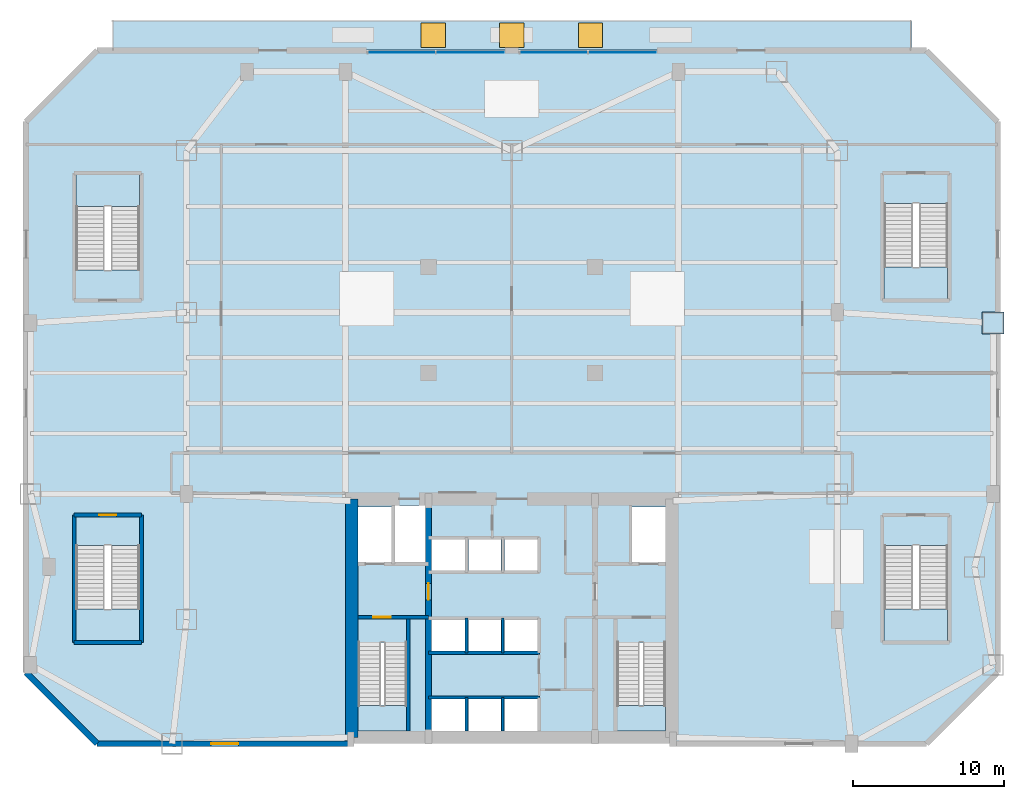
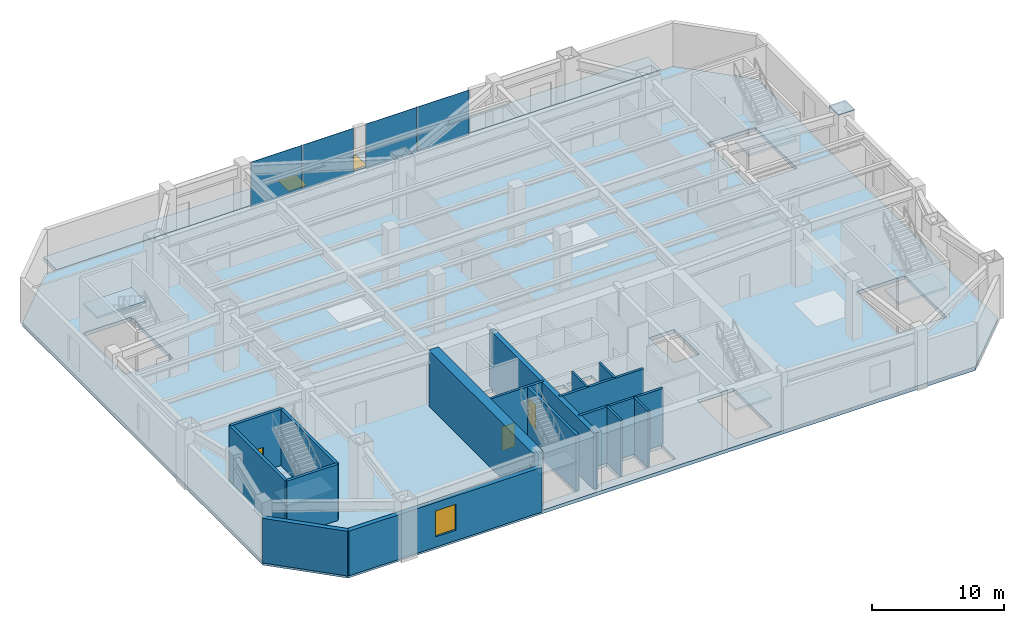
# One storey, part 3 of 9: 16 walls, 8 slabs, 5 plates, 4 windows, 3 doors, 7 openings, 8 elements without a shape of their own.
"""IFC4 building model written with IfcOpenShell, lengths in metres."""

from ifc_helpers import new_model, si_unit, direction, frame, frame_2d, origin, origin_2d, place, context, subcontext, project, spatial, polyline, rectangle, outline, extrude, source, transform, mapped, material, layer, layer_set, type_object, type_shapes, element, fill, aggregate, save


model = new_model("IFC4")

# Units and contexts
model_context = context("Model", 3, precision=1e-05, world=origin(), true_north=direction((0.0, 1.0)))
body_context = subcontext(model_context, "Body", "Model", "MODEL_VIEW")
ifc_project = project(units=[si_unit("LENGTHUNIT", "METRE"), si_unit("AREAUNIT", "SQUARE_METRE"), si_unit("VOLUMEUNIT", "CUBIC_METRE"), si_unit("PLANEANGLEUNIT", "RADIAN"), si_unit("MASSUNIT", "GRAM", prefix="KILO")], contexts=[model_context])

# Site, building, storey
site_placement = place(None, origin())
site = spatial("IfcSite", under=ifc_project, at=site_placement, CompositionType="ELEMENT")
building_placement = place(site_placement, origin())
building = spatial("IfcBuilding", under=site, at=building_placement, Name="Varnakhor Terracotta Tower", CompositionType="ELEMENT")
storey_placement = place(building_placement, frame((0.0, 0.0, 11.0)))
storey = spatial("IfcBuildingStorey", under=building, at=storey_placement, Name="L02", CompositionType="ELEMENT", Elevation=11.0)

# Slab
ifc_material_1 = material(Name="Concrete C40/50", Category="concrete")
ifc_layer_1 = layer(ifc_material_1, 0.330078125, Name="Concrete C40/50")
ifc_layer_set_1 = layer_set([ifc_layer_1], Name="Concrete C40/50")
slab_type_1 = type_object("IfcSlabType", Name="SLB-EXHIB-330", PredefinedType="FLOOR", material=ifc_layer_set_1)
slab_1_placement = place(storey_placement, frame((0.0, 0.0, -0.330078125)))
element("IfcSlab", 1, at=slab_1_placement, inside=storey, type_object=slab_type_1, Name="L02 Structural Floor Slab", PredefinedType="FLOOR", context=body_context, shape_type="SweptSolid", body=[
    extrude(outline(polyline([(-32.10009765625, 4.699951171875), (-32.10009765625, 41.10009765625), (-27.39990234375, 45.800048828125), (27.39990234375, 45.800048828125), (32.10009765625, 41.10009765625), (32.10009765625, 4.699951171875), (27.39990234375, 0.0), (-27.39990234375, 0.0), (-32.10009765625, 4.699951171875)]), holes=[polyline([(-5.300048828125, 0.85009765625), (-3.10009765625, 0.85009765625), (-3.10009765625, 2.949951171875), (-5.300048828125, 2.949951171875), (-5.300048828125, 0.85009765625)]), polyline([(-10.14990234375, 0.85009765625), (-6.949951171875, 0.85009765625), (-6.949951171875, 6.695068359375), (-10.14990234375, 6.695068359375), (-10.14990234375, 0.85009765625)]), polyline([(-5.300048828125, 6.10009765625), (-3.10009765625, 6.10009765625), (-3.10009765625, 8.199951171875), (-5.300048828125, 8.199951171875), (-5.300048828125, 6.10009765625)]), polyline([(-28.800048828125, 6.800048828125), (-24.60009765625, 6.800048828125), (-24.60009765625, 13.0849609375), (-28.800048828125, 13.0849609375), (-28.800048828125, 6.800048828125)]), polyline([(-5.300048828125, 11.419921875), (-3.10009765625, 11.419921875), (-3.10009765625, 13.52001953125), (-5.300048828125, 13.52001953125), (-5.300048828125, 11.419921875)]), polyline([(-2.8798828125, 11.419921875), (-0.719970703125, 11.419921875), (-0.719970703125, 13.52001953125), (-2.8798828125, 13.52001953125), (-2.8798828125, 11.419921875)]), polyline([(-10.14990234375, 11.8798828125), (-7.949951171875, 11.8798828125), (-7.949951171875, 15.64990234375), (-10.14990234375, 15.64990234375), (-10.14990234375, 11.8798828125)]), polyline([(-7.72998046875, 15.75), (-7.72998046875, 11.8798828125), (-5.699951171875, 11.8798828125), (-5.699951171875, 15.75), (-7.72998046875, 15.75)]), polyline([(-28.800048828125, 37.60009765625), (-28.800048828125, 31.31494140625), (-24.60009765625, 31.31494140625), (-24.60009765625, 37.60009765625), (-28.800048828125, 37.60009765625)]), polyline([(-2.8798828125, 0.85009765625), (-0.719970703125, 0.85009765625), (-0.719970703125, 2.949951171875), (-2.8798828125, 2.949951171875), (-2.8798828125, 0.85009765625)]), polyline([(-0.5, 0.85009765625), (1.699951171875, 0.85009765625), (1.699951171875, 2.949951171875), (-0.5, 2.949951171875), (-0.5, 0.85009765625)]), polyline([(6.949951171875, 0.85009765625), (10.14990234375, 0.85009765625), (10.14990234375, 6.695068359375), (6.949951171875, 6.695068359375), (6.949951171875, 0.85009765625)]), polyline([(-2.8798828125, 6.10009765625), (-0.719970703125, 6.10009765625), (-0.719970703125, 8.199951171875), (-2.8798828125, 8.199951171875), (-2.8798828125, 6.10009765625)]), polyline([(-0.5, 6.10009765625), (1.699951171875, 6.10009765625), (1.699951171875, 8.199951171875), (-0.5, 8.199951171875), (-0.5, 6.10009765625)]), polyline([(24.60009765625, 6.800048828125), (28.800048828125, 6.800048828125), (28.800048828125, 13.0849609375), (24.60009765625, 13.0849609375), (24.60009765625, 6.800048828125)]), polyline([(-0.5, 11.419921875), (1.699951171875, 11.419921875), (1.699951171875, 13.52001953125), (-0.5, 13.52001953125), (-0.5, 11.419921875)]), polyline([(7.949951171875, 15.64990234375), (7.949951171875, 11.8798828125), (10.14990234375, 11.8798828125), (10.14990234375, 15.64990234375), (7.949951171875, 15.64990234375)]), polyline([(24.60009765625, 35.68505859375), (24.60009765625, 29.39990234375), (28.800048828125, 29.39990234375), (28.800048828125, 35.68505859375), (24.60009765625, 35.68505859375)])]), origin(), (0.0, 0.0, 1.0), 0.330078125),
])

# Stair, slab
stair_type_1 = type_object("IfcStairType", Name="STR-CORE-OFFICE-1500", PredefinedType="HALF_TURN_STAIR", material=ifc_material_1)
stair_1_placement = place(storey_placement, origin())
stair_1 = element("IfcStair", 2, at=stair_1_placement, inside=storey, type_object=stair_type_1, Name="L02 Core Exit Stair ST-1", PredefinedType="HALF_TURN_STAIR")
ifc_layer_2 = layer(ifc_material_1, 0.179931640625, Name="Concrete C40/50")
ifc_layer_set_2 = layer_set([ifc_layer_2], Name="Concrete C40/50")
slab_type_2 = type_object("IfcSlabType", Name="SLB-LANDING-180", PredefinedType="LANDING", material=ifc_layer_set_2)
slab_2_placement = place(storey_placement, frame((0.0, 0.0, 2.550048828125)))
slab_2 = element("IfcSlab", 3, at=slab_2_placement, type_object=slab_type_2, Name="ST-1 landing 1", PredefinedType="LANDING", context=body_context, shape_type="SweptSolid", body=[
    extrude(outline(polyline([(-10.14990234375, 2.510009765625), (-10.14990234375, 0.85009765625), (-6.949951171875, 0.85009765625), (-6.949951171875, 2.510009765625), (-10.14990234375, 2.510009765625)])), origin(), (0.0, 0.0, 1.0), 0.199951171875),
])
aggregate(stair_1, [slab_2])

stair_2_placement = place(storey_placement, origin())
stair_2 = element("IfcStair", 4, at=stair_2_placement, inside=storey, type_object=stair_type_1, Name="L02 Core Exit Stair ST-2", PredefinedType="HALF_TURN_STAIR")
slab_3_placement = place(storey_placement, frame((0.0, 0.0, 2.550048828125)))
slab_3 = element("IfcSlab", 5, at=slab_3_placement, type_object=slab_type_2, Name="ST-2 landing 1", PredefinedType="LANDING", context=body_context, shape_type="SweptSolid", body=[
    extrude(outline(polyline([(6.949951171875, 2.510009765625), (6.949951171875, 0.85009765625), (10.14990234375, 0.85009765625), (10.14990234375, 2.510009765625), (6.949951171875, 2.510009765625)])), origin(), (0.0, 0.0, 1.0), 0.199951171875),
])
aggregate(stair_2, [slab_3])

stair_type_2 = type_object("IfcStairType", Name="STR-PODIUM-EXIT-2000", PredefinedType="HALF_TURN_STAIR", material=ifc_material_1)
stair_3_placement = place(storey_placement, origin())
stair_3 = element("IfcStair", 6, at=stair_3_placement, inside=storey, type_object=stair_type_2, Name="L02 Podium Assembly Exit Stair ST-P1", PredefinedType="HALF_TURN_STAIR")
slab_4_placement = place(storey_placement, frame((0.0, 0.0, 2.550048828125)))
slab_4 = element("IfcSlab", 7, at=slab_4_placement, type_object=slab_type_2, Name="ST-P1 landing 1", PredefinedType="LANDING", context=body_context, shape_type="SweptSolid", body=[
    extrude(outline(polyline([(-28.800048828125, 8.89990234375), (-28.800048828125, 6.800048828125), (-24.60009765625, 6.800048828125), (-24.60009765625, 8.89990234375), (-28.800048828125, 8.89990234375)])), origin(), (0.0, 0.0, 1.0), 0.199951171875),
])
aggregate(stair_3, [slab_4])

stair_4_placement = place(storey_placement, origin())
stair_4 = element("IfcStair", 8, at=stair_4_placement, inside=storey, type_object=stair_type_2, Name="L02 Podium Assembly Exit Stair ST-P2", PredefinedType="HALF_TURN_STAIR")
slab_5_placement = place(storey_placement, frame((0.0, 0.0, 2.550048828125)))
slab_5 = element("IfcSlab", 9, at=slab_5_placement, type_object=slab_type_2, Name="ST-P2 landing 1", PredefinedType="LANDING", context=body_context, shape_type="SweptSolid", body=[
    extrude(outline(polyline([(24.60009765625, 8.89990234375), (24.60009765625, 6.800048828125), (28.800048828125, 6.800048828125), (28.800048828125, 8.89990234375), (24.60009765625, 8.89990234375)])), origin(), (0.0, 0.0, 1.0), 0.199951171875),
])
aggregate(stair_4, [slab_5])

stair_5_placement = place(storey_placement, origin())
stair_5 = element("IfcStair", 10, at=stair_5_placement, inside=storey, type_object=stair_type_2, Name="L02 Podium Assembly Exit Stair ST-P3", PredefinedType="HALF_TURN_STAIR")
slab_6_placement = place(storey_placement, frame((0.0, 0.0, 2.550048828125)))
slab_6 = element("IfcSlab", 11, at=slab_6_placement, type_object=slab_type_2, Name="ST-P3 landing 1", PredefinedType="LANDING", context=body_context, shape_type="SweptSolid", body=[
    extrude(outline(polyline([(-24.60009765625, 35.5), (-24.60009765625, 37.60009765625), (-28.800048828125, 37.60009765625), (-28.800048828125, 35.5), (-24.60009765625, 35.5)])), origin(), (0.0, 0.0, 1.0), 0.199951171875),
])
aggregate(stair_5, [slab_6])

stair_6_placement = place(storey_placement, origin())
stair_6 = element("IfcStair", 12, at=stair_6_placement, inside=storey, type_object=stair_type_2, Name="L02 Podium Assembly Exit Stair ST-P4", PredefinedType="HALF_TURN_STAIR")
slab_7_placement = place(storey_placement, frame((0.0, 0.0, 2.550048828125)))
slab_7 = element("IfcSlab", 13, at=slab_7_placement, type_object=slab_type_2, Name="ST-P4 landing 1", PredefinedType="LANDING", context=body_context, shape_type="SweptSolid", body=[
    extrude(outline(polyline([(24.60009765625, 31.5), (24.60009765625, 29.39990234375), (28.800048828125, 29.39990234375), (28.800048828125, 31.5), (24.60009765625, 31.5)])), origin(), (0.0, 0.0, 1.0), 0.199951171875),
])
aggregate(stair_6, [slab_7])

# Slab, openings, windows
ifc_layer_3 = layer(ifc_material_1, 0.340087890625, Name="Concrete C40/50")
ifc_layer_set_3 = layer_set([ifc_layer_3], Name="Concrete C40/50")
slab_type_3 = type_object("IfcSlabType", Name="SLB-TERR-EXT-340", PredefinedType="FLOOR", material=ifc_layer_set_3)
slab_8_placement = place(storey_placement, frame((0.0, 0.0, -0.330078125)))
slab_8 = element("IfcSlab", 14, at=slab_8_placement, inside=storey, type_object=slab_type_3, Name="L02 Cascading Garden Terrace Slab", PredefinedType="FLOOR", context=body_context, shape_type="SweptSolid", body=[
    extrude(outline(polyline([(-26.39990234375, 47.800048828125), (26.39990234375, 47.800048828125), (26.39990234375, 45.840087890625), (-26.39990234375, 45.840087890625), (-26.39990234375, 47.800048828125)])), origin(), (0.0, 0.0, 1.0), 0.330078125),
])
opening_1_placement = place(slab_8_placement, frame((-5.199951171875, 46.820068359375, -0.010009765625)))
opening_1 = element("IfcOpeningElement", 15, at=opening_1_placement, cuts=slab_8, Name="Opening WN-32", PredefinedType="OPENING", context=body_context, shape_type="SweptSolid", body=[
    extrude(rectangle(XDim=1.60009765625, YDim=1.60009765625, at=origin_2d()), origin(), (0.0, 0.0, 1.0), 0.35009765625),
])
opening_2_placement = place(slab_8_placement, frame((0.0, 46.820068359375, -0.010009765625)))
opening_2 = element("IfcOpeningElement", 16, at=opening_2_placement, cuts=slab_8, Name="Opening WN-32", PredefinedType="OPENING", context=body_context, shape_type="SweptSolid", body=[
    extrude(rectangle(XDim=1.60009765625, YDim=1.60009765625, at=origin_2d()), origin(), (0.0, 0.0, 1.0), 0.35009765625),
])
opening_3_placement = place(slab_8_placement, frame((5.199951171875, 46.820068359375, -0.010009765625)))
opening_3 = element("IfcOpeningElement", 17, at=opening_3_placement, cuts=slab_8, Name="Opening WN-32", PredefinedType="OPENING", context=body_context, shape_type="SweptSolid", body=[
    extrude(rectangle(XDim=1.60009765625, YDim=1.60009765625, at=origin_2d()), origin(), (0.0, 0.0, 1.0), 0.35009765625),
])
ifc_material_2 = material(Name="Solar-Control Low-E Insulated Glass Unit", Category="glass")
window_type_1 = type_object("IfcWindowType", Name="SKYLIGHT-2400X2400", PartitioningType="SINGLE_PANEL", PredefinedType="SKYLIGHT", material=ifc_material_2)
window_1_placement = place(slab_8_placement, frame((-5.199951171875, 46.820068359375, 0.280029296875)))
window_1 = element("IfcWindow", 18, at=window_1_placement, inside=storey, type_object=window_type_1, Name="L02 Podium Foyer Skylight 1", OverallHeight=1.60009765625, OverallWidth=1.60009765625, PartitioningType="SINGLE_PANEL", PredefinedType="SKYLIGHT", context=body_context, shape_type="SweptSolid", body=[
    extrude(rectangle(XDim=1.60009765625, YDim=1.60009765625, at=origin_2d()), origin(), (0.0, 0.0, 1.0), 0.050048828125),
])
fill(opening_1, window_1)
window_2_placement = place(slab_8_placement, frame((0.0, 46.820068359375, 0.280029296875)))
window_2 = element("IfcWindow", 19, at=window_2_placement, inside=storey, type_object=window_type_1, Name="L02 Podium Foyer Skylight 2", OverallHeight=1.60009765625, OverallWidth=1.60009765625, PartitioningType="SINGLE_PANEL", PredefinedType="SKYLIGHT", context=body_context, shape_type="SweptSolid", body=[
    extrude(rectangle(XDim=1.60009765625, YDim=1.60009765625, at=origin_2d()), origin(), (0.0, 0.0, 1.0), 0.050048828125),
])
fill(opening_2, window_2)
window_3_placement = place(slab_8_placement, frame((5.199951171875, 46.820068359375, 0.280029296875)))
window_3 = element("IfcWindow", 20, at=window_3_placement, inside=storey, type_object=window_type_1, Name="L02 Podium Foyer Skylight 3", OverallHeight=1.60009765625, OverallWidth=1.60009765625, PartitioningType="SINGLE_PANEL", PredefinedType="SKYLIGHT", context=body_context, shape_type="SweptSolid", body=[
    extrude(rectangle(XDim=1.60009765625, YDim=1.60009765625, at=origin_2d()), origin(), (0.0, 0.0, 1.0), 0.050048828125),
])
fill(opening_3, window_3)

# Plate
ifc_material_3 = material(Name="Steel S355", Category="steel")
ifc_layer_4 = layer(ifc_material_3, 0.0400390625, Name="Steel S355")
ifc_layer_set_4 = layer_set([ifc_layer_4], Name="Steel S355")
plate_type_1 = type_object("IfcPlateType", Name="PLT-CAP-40", PredefinedType="USERDEFINED", material=ifc_layer_set_4)
shared_shape_1 = source(origin(), body_context, "Body", "SweptSolid", [
    extrude(rectangle(XDim=1.43994140625, YDim=1.43994140625, at=origin_2d()), origin(), (0.0, 0.0, 1.0), 0.0439453125),
])
type_shapes(plate_type_1, [shared_shape_1])
plate_1_placement = place(storey_placement, frame((31.800048828125, 27.800048828125, 5.5), z_axis=(0.0, 0.0, 1.0), x_axis=(1.0, 0.0, 0.0)))
element("IfcPlate", 21, at=plate_1_placement, inside=storey, type_object=plate_type_1, Name="L02 Podium Column PC19 Top Cap Plate", ObjectType="CAP PLATE", PredefinedType="USERDEFINED", context=body_context, shape_type="MappedRepresentation", body=[
    mapped(shared_shape_1, transform((0.0, 0.0, 0.0), scale=1.0)),
])

# Curtain wall, plates
ifc_material_4 = material(Name="Anodised Aluminium Curtain Wall System", Category="aluminium")
curtain_wall_type = type_object("IfcCurtainWallType", Name="CW-SYS-PODIUM", PredefinedType="NOTDEFINED", material=ifc_material_4)
curtain_wall_1_placement = place(storey_placement, origin())
curtain_wall_1 = element("IfcCurtainWall", 22, at=curtain_wall_1_placement, inside=storey, type_object=curtain_wall_type, Name="L02 North West Foyer Curtain Wall", PredefinedType="NOTDEFINED")
ifc_material_5 = material(Name="Solar-Control Low-E Insulated Glass Panel", Category="glass")
ifc_layer_5 = layer(ifc_material_5, 0.0439453125, Name="Solar-Control Low-E Insulated Glass Panel")
ifc_layer_set_5 = layer_set([ifc_layer_5], Name="Solar-Control Low-E Insulated Glass Panel")
plate_type_2 = type_object("IfcPlateType", Name="CWP-01", PredefinedType="CURTAIN_PANEL", material=ifc_layer_set_5)
shared_shape_2 = source(origin(), body_context, "Body", "SweptSolid", [
    extrude(rectangle(XDim=4.47509765625, YDim=0.035888671875, at=origin_2d()), origin(), (0.0, 0.0, 1.0), 4.125),
])
plate_2_placement = place(storey_placement, frame((-7.282470703125, 45.679931640625, 0.0), z_axis=(0.0, 0.0, 1.0), x_axis=(1.0, 0.0, 0.0)))
plate_2 = element("IfcPlate", 23, at=plate_2_placement, type_object=plate_type_2, Name="L02 North West Foyer Curtain Wall Glazed Panel 1", PredefinedType="CURTAIN_PANEL", context=body_context, shape_type="MappedRepresentation", body=[
    mapped(shared_shape_2, transform((0.0, 0.0, 0.0), scale=1.0)),
])
plate_3_placement = place(storey_placement, frame((-2.767578125, 45.679931640625, 0.0), z_axis=(0.0, 0.0, 1.0), x_axis=(1.0, 0.0, 0.0)))
plate_3 = element("IfcPlate", 24, at=plate_3_placement, type_object=plate_type_2, Name="L02 North West Foyer Curtain Wall Glazed Panel 2", PredefinedType="CURTAIN_PANEL", context=body_context, shape_type="MappedRepresentation", body=[
    mapped(shared_shape_2, transform((0.0, 0.0, 0.0), scale=1.0)),
])
aggregate(curtain_wall_1, [plate_2, plate_3])

curtain_wall_2_placement = place(storey_placement, origin())
curtain_wall_2 = element("IfcCurtainWall", 25, at=curtain_wall_2_placement, inside=storey, type_object=curtain_wall_type, Name="L02 North East Foyer Curtain Wall", PredefinedType="NOTDEFINED")
plate_4_placement = place(storey_placement, frame((2.767578125, 45.679931640625, 0.0), z_axis=(0.0, 0.0, 1.0), x_axis=(1.0, 0.0, 0.0)))
plate_4 = element("IfcPlate", 26, at=plate_4_placement, type_object=plate_type_2, Name="L02 North East Foyer Curtain Wall Glazed Panel 1", PredefinedType="CURTAIN_PANEL", context=body_context, shape_type="MappedRepresentation", body=[
    mapped(shared_shape_2, transform((0.0, 0.0, 0.0), scale=1.0)),
])
plate_5_placement = place(storey_placement, frame((7.282470703125, 45.679931640625, 0.0), z_axis=(0.0, 0.0, 1.0), x_axis=(1.0, 0.0, 0.0)))
plate_5 = element("IfcPlate", 27, at=plate_5_placement, type_object=plate_type_2, Name="L02 North East Foyer Curtain Wall Glazed Panel 2", PredefinedType="CURTAIN_PANEL", context=body_context, shape_type="MappedRepresentation", body=[
    mapped(shared_shape_2, transform((0.0, 0.0, 0.0), scale=1.0)),
])
aggregate(curtain_wall_2, [plate_4, plate_5])

# Wall
ifc_material_6 = material(Name="Concrete C60/75", Category="concrete")
ifc_layer_6 = layer(ifc_material_6, 0.85009765625, Name="Concrete C60/75")
ifc_layer_set_6 = layer_set([ifc_layer_6], Name="Concrete C60/75")
wall_type_1 = type_object("IfcWallType", Name="WAL-CORE-850", PredefinedType="SHEAR", material=ifc_layer_set_6)
wall_1_placement = place(storey_placement, frame((-10.574951171875, 0.425048828125, 0.0), z_axis=(0.0, 0.0, 1.0), x_axis=(0.0, 1.0, 0.0)))
element("IfcWall", 28, at=wall_1_placement, inside=storey, type_object=wall_type_1, Name="L02 West Core Shear Wall", PredefinedType="SHEAR", context=body_context, shape_type="SweptSolid", body=[
    extrude(rectangle(XDim=15.75, YDim=0.85009765625, at=frame_2d((7.875, 0.0))), origin(), (0.0, 0.0, 1.0), 5.18505859375),
])

# Wall, opening, door
ifc_material_7 = material(Name="Concrete C50/60", Category="concrete")
ifc_layer_7 = layer(ifc_material_7, 0.39990234375, Name="Concrete C50/60")
ifc_layer_set_7 = layer_set([ifc_layer_7], Name="Concrete C50/60")
wall_type_2 = type_object("IfcWallType", Name="WAL-CORE-WEB-400", PredefinedType="SHEAR", material=ifc_layer_set_7)
wall_2_placement = place(storey_placement, frame((-5.5, 0.425048828125, 0.0), z_axis=(0.0, 0.0, 1.0), x_axis=(0.0, 1.0, 0.0)))
wall_2 = element("IfcWall", 29, at=wall_2_placement, inside=storey, type_object=wall_type_2, Name="L02 West Core Web Shear Wall", PredefinedType="SHEAR", context=body_context, shape_type="SweptSolid", body=[
    extrude(rectangle(XDim=15.75, YDim=0.39990234375, at=frame_2d((7.875, 0.0))), origin(), (0.0, 0.0, 1.0), 5.18505859375),
])
opening_4_placement = place(wall_2_placement, frame((9.074951171875, 0.0, 0.0)))
opening_4 = element("IfcOpeningElement", 30, at=opening_4_placement, cuts=wall_2, Name="Opening DR-25", PredefinedType="OPENING", context=body_context, shape_type="SweptSolid", body=[
    extrude(rectangle(XDim=1.10009765625, YDim=2.199951171875, at=frame_2d((0.550048828125, 1.10009765625))), frame((0.0, 0.2099609375, 0.0), z_axis=(0.0, -1.0, 0.0), x_axis=(1.0, 0.0, 0.0)), (0.0, 0.0, 1.0), 0.419921875),
])
ifc_material_8 = material(Name="Firefighting Lobby Self-Closing Fire Door", Category="steel")
door_type_1 = type_object("IfcDoorType", Name="DR-FFL-1100X2200", OperationType="NOTDEFINED", PredefinedType="DOOR", material=ifc_material_8)
shared_shape_3 = source(origin(), body_context, "Body", "SweptSolid", [
    extrude(rectangle(XDim=1.10009765625, YDim=2.199951171875, at=frame_2d((0.550048828125, 1.10009765625))), frame((0.0, 0.02490234375, 0.0), z_axis=(0.0, -1.0, 0.0), x_axis=(1.0, 0.0, 0.0)), (0.0, 0.0, 1.0), 0.050048828125),
])
type_shapes(door_type_1, [shared_shape_3])
door_1_placement = place(opening_4_placement, origin())
door_1 = element("IfcDoor", 31, at=door_1_placement, inside=storey, type_object=door_type_1, Name="L02 West Firefighting Lobby Door", OperationType="SINGLE_SWING_RIGHT", OverallHeight=2.199951171875, OverallWidth=1.10009765625, PredefinedType="DOOR", context=body_context, shape_type="MappedRepresentation", body=[
    mapped(shared_shape_3, transform((0.0, 0.0, 0.0), scale=1.0)),
])
fill(opening_4, door_1)

# Wall, opening, window
ifc_material_9 = material(Name="Honed Riyadh Limestone Assembly", Category="masonry")
ifc_layer_8 = layer(ifc_material_9, 0.3798828125, Name="Honed Riyadh Limestone Assembly")
ifc_layer_set_8 = layer_set([ifc_layer_8], Name="Honed Riyadh Limestone Assembly")
wall_type_3 = type_object("IfcWallType", Name="WAL-EXT-LIMESTONE-380", PredefinedType="SOLIDWALL", material=ifc_layer_set_8)
wall_3_placement = place(storey_placement, frame((-10.550048828125, 0.0, 0.0), z_axis=(0.0, 0.0, 1.0), x_axis=(-1.0, 0.0, 0.0)))
wall_3 = element("IfcWall", 32, at=wall_3_placement, inside=storey, type_object=wall_type_3, Name="L02 Limestone Podium Wall SW", PredefinedType="SOLIDWALL", context=body_context, shape_type="SweptSolid", body=[
    extrude(rectangle(XDim=16.849853515625, YDim=0.3798828125, at=frame_2d((8.4248046875, 0.0))), origin(), (0.0, 0.0, 1.0), 4.125),
])
opening_5_placement = place(wall_3_placement, frame((7.52490234375, 0.0, 0.949951171875)))
opening_5 = element("IfcOpeningElement", 33, at=opening_5_placement, cuts=wall_3, Name="Opening WN-19", PredefinedType="OPENING", context=body_context, shape_type="SweptSolid", body=[
    extrude(rectangle(XDim=1.800048828125, YDim=2.39990234375, at=frame_2d((0.89990234375, 1.199951171875))), frame((0.0, 0.199951171875, 0.0), z_axis=(0.0, -1.0, 0.0), x_axis=(1.0, 0.0, 0.0)), (0.0, 0.0, 1.0), 0.39990234375),
])
window_type_2 = type_object("IfcWindowType", Name="WIN-POD-1800X2400", PartitioningType="SINGLE_PANEL", PredefinedType="WINDOW", material=ifc_material_2)
shared_shape_4 = source(origin(), body_context, "Body", "SweptSolid", [
    extrude(rectangle(XDim=1.800048828125, YDim=2.39990234375, at=frame_2d((0.89990234375, 1.199951171875))), frame((0.0, 0.030029296875, 0.0), z_axis=(0.0, -1.0, 0.0), x_axis=(1.0, 0.0, 0.0)), (0.0, 0.0, 1.0), 0.06005859375),
])
type_shapes(window_type_2, [shared_shape_4])
window_4_placement = place(opening_5_placement, origin())
window_4 = element("IfcWindow", 34, at=window_4_placement, inside=storey, type_object=window_type_2, Name="L02 Podium Window SW", OverallHeight=2.39990234375, OverallWidth=1.800048828125, PartitioningType="SINGLE_PANEL", PredefinedType="WINDOW", context=body_context, shape_type="MappedRepresentation", body=[
    mapped(shared_shape_4, transform((0.0, 0.0, 0.0), scale=1.0)),
])
fill(opening_5, window_4)

# Wall
wall_4_placement = place(storey_placement, frame((-27.39990234375, 0.0, 0.0), z_axis=(0.0, 0.0, 1.0), x_axis=(-0.707125145927, 0.707088415969, 0.0)))
element("IfcWall", 35, at=wall_4_placement, inside=storey, type_object=wall_type_3, Name="L02 Podium Chamfer Limestone Wall 8", PredefinedType="SOLIDWALL", context=body_context, shape_type="SweptSolid", body=[
    extrude(rectangle(XDim=6.64697265625, YDim=0.3798828125, at=frame_2d((3.323486328125, 0.0))), origin(), (0.0, 0.0, 1.0), 4.125),
])

# Wall, opening, door
ifc_layer_9 = layer(ifc_material_1, 0.219970703125, Name="Concrete C40/50")
ifc_layer_set_9 = layer_set([ifc_layer_9], Name="Concrete C40/50")
wall_type_4 = type_object("IfcWallType", Name="WAL-FFLOBBY-220", PredefinedType="SOLIDWALL", material=ifc_layer_set_9)
wall_5_placement = place(storey_placement, frame((-5.5, 8.35009765625, 0.0), z_axis=(0.0, 0.0, 1.0), x_axis=(-1.0, 0.0, 0.0)))
wall_5 = element("IfcWall", 36, at=wall_5_placement, inside=storey, type_object=wall_type_4, Name="L02 West Firefighting Lobby Stair Wall", PredefinedType="SOLIDWALL", context=body_context, shape_type="SweptSolid", body=[
    extrude(rectangle(XDim=4.64990234375, YDim=0.219970703125, at=frame_2d((2.324951171875, 0.0))), origin(), (0.0, 0.0, 1.0), 5.18505859375),
])
opening_6_placement = place(wall_5_placement, frame((2.5, 0.0, 0.0)))
opening_6 = element("IfcOpeningElement", 37, at=opening_6_placement, cuts=wall_5, Name="Opening DR-34", PredefinedType="OPENING", context=body_context, shape_type="SweptSolid", body=[
    extrude(rectangle(XDim=1.14990234375, YDim=2.199951171875, at=frame_2d((0.574951171875, 1.10009765625))), frame((0.0, 0.1201171875, 0.0), z_axis=(0.0, -1.0, 0.0), x_axis=(1.0, 0.0, 0.0)), (0.0, 0.0, 1.0), 0.239990234375),
])
ifc_material_10 = material(Name="Self-Closing Smoke-Sealed Steel Fire Door", Category="steel")
door_type_2 = type_object("IfcDoorType", Name="DR-STAIR-1150X2200", OperationType="NOTDEFINED", PredefinedType="DOOR", material=ifc_material_10)
shared_shape_5 = source(origin(), body_context, "Body", "SweptSolid", [
    extrude(rectangle(XDim=1.14990234375, YDim=2.199951171875, at=frame_2d((0.574951171875, 1.10009765625))), frame((0.0, 0.02490234375, 0.0), z_axis=(0.0, -1.0, 0.0), x_axis=(1.0, 0.0, 0.0)), (0.0, 0.0, 1.0), 0.050048828125),
])
type_shapes(door_type_2, [shared_shape_5])
door_2_placement = place(opening_6_placement, origin())
door_2 = element("IfcDoor", 38, at=door_2_placement, inside=storey, type_object=door_type_2, Name="L02 Exit Stair ST-1 Fire Door", OperationType="SINGLE_SWING_LEFT", OverallHeight=2.199951171875, OverallWidth=1.14990234375, PredefinedType="DOOR", context=body_context, shape_type="MappedRepresentation", body=[
    mapped(shared_shape_5, transform((0.0, 0.0, 0.0), scale=1.0)),
])
fill(opening_6, door_2)

# Walls
ifc_layer_10 = layer(ifc_material_1, 0.179931640625, Name="Concrete C40/50")
ifc_layer_set_10 = layer_set([ifc_layer_10], Name="Concrete C40/50")
wall_type_5 = type_object("IfcWallType", Name="WAL-SHAFT-180", PredefinedType="SOLIDWALL", material=ifc_layer_set_10)
for number, where, z_axis, x_axis, name in (
    (39, (-3.0, 0.85009765625, 0.0), (0.0, 0.0, 1.0), (0.0, 1.0, 0.0), "L02 PL-1A Divider"),
    (40, (-0.60009765625, 0.85009765625, 0.0), (0.0, 0.0, 1.0), (0.0, 1.0, 0.0), "L02 PL-1B Divider"),
):
    element("IfcWall", number, at=place(storey_placement, frame(where, z_axis=z_axis, x_axis=x_axis)), inside=storey, type_object=wall_type_5, Name=name, PredefinedType="SOLIDWALL", context=body_context, shape_type="SweptSolid", body=[
        extrude(rectangle(XDim=2.199951171875, YDim=0.179931640625, at=frame_2d((1.10009765625, 0.0))), origin(), (0.0, 0.0, 1.0), 5.18505859375),
    ])
for number, where, z_axis, x_axis, name in (
    (41, (-3.0, 6.0, 0.0), (0.0, 0.0, 1.0), (0.0, 1.0, 0.0), "L02 PL-2A Divider"),
    (42, (-0.60009765625, 6.0, 0.0), (0.0, 0.0, 1.0), (0.0, 1.0, 0.0), "L02 PL-2B Divider"),
):
    element("IfcWall", number, at=place(storey_placement, frame(where, z_axis=z_axis, x_axis=x_axis)), inside=storey, type_object=wall_type_5, Name=name, PredefinedType="SOLIDWALL", context=body_context, shape_type="SweptSolid", body=[
        extrude(rectangle(XDim=2.300048828125, YDim=0.179931640625, at=frame_2d((1.14990234375, 0.0))), origin(), (0.0, 0.0, 1.0), 5.18505859375),
    ])
ifc_layer_11 = layer(ifc_material_1, 0.219970703125, Name="Concrete C40/50")
ifc_layer_set_11 = layer_set([ifc_layer_11], Name="Concrete C40/50")
wall_type_6 = type_object("IfcWallType", Name="WAL-SHAFT-220", PredefinedType="SOLIDWALL", material=ifc_layer_set_11)
for number, where, z_axis, x_axis, name in (
    (43, (-5.5, 3.050048828125, 0.0), (0.0, 0.0, 1.0), (1.0, 0.0, 0.0), "L02 Bank 1 Lift Shaft Wall"),
    (44, (-5.5, 6.0, 0.0), (0.0, 0.0, 1.0), (1.0, 0.0, 0.0), "L02 Bank 2 South Shaft Wall"),
):
    element("IfcWall", number, at=place(storey_placement, frame(where, z_axis=z_axis, x_axis=x_axis)), inside=storey, type_object=wall_type_6, Name=name, PredefinedType="SOLIDWALL", context=body_context, shape_type="SweptSolid", body=[
        extrude(rectangle(XDim=7.320068359375, YDim=0.219970703125, at=frame_2d((3.66015625, 0.0))), origin(), (0.0, 0.0, 1.0), 5.18505859375),
    ])
ifc_layer_12 = layer(ifc_material_1, 0.25, Name="Concrete C40/50")
ifc_layer_set_12 = layer_set([ifc_layer_12], Name="Concrete C40/50")
wall_type_7 = type_object("IfcWallType", Name="WAL-SHAFT-250", PredefinedType="SOLIDWALL", material=ifc_layer_set_12)
wall_6_placement = place(storey_placement, frame((-6.85009765625, 0.85009765625, 0.0), z_axis=(0.0, 0.0, 1.0), x_axis=(0.0, 1.0, 0.0)))
element("IfcWall", 45, at=wall_6_placement, inside=storey, type_object=wall_type_7, Name="L02 Stair ST-1 Bearing Shaft Wall", PredefinedType="SOLIDWALL", context=body_context, shape_type="SweptSolid", body=[
    extrude(rectangle(XDim=7.5, YDim=0.25, at=frame_2d((3.75, 0.0))), origin(), (0.0, 0.0, 1.0), 5.18505859375),
])
for number, where, z_axis, x_axis, name in (
    (46, (-28.919921875, 6.679931640625, 0.0), (0.0, 0.0, 1.0), (0.0, 1.0, 0.0), "L02 ST-P1 Bearing Shaft Wall W"),
    (47, (-24.47998046875, 6.679931640625, 0.0), (0.0, 0.0, 1.0), (0.0, 1.0, 0.0), "L02 ST-P1 Bearing Shaft Wall E"),
):
    element("IfcWall", number, at=place(storey_placement, frame(where, z_axis=z_axis, x_axis=x_axis)), inside=storey, type_object=wall_type_7, Name=name, PredefinedType="SOLIDWALL", context=body_context, shape_type="SweptSolid", body=[
        extrude(rectangle(XDim=8.440185546875, YDim=0.25, at=frame_2d((4.22021484375, 0.0))), origin(), (0.0, 0.0, 1.0), 5.18505859375),
    ])
wall_7_placement = place(storey_placement, frame((-28.919921875, 6.679931640625, 0.0), z_axis=(0.0, 0.0, 1.0), x_axis=(1.0, 0.0, 0.0)))
element("IfcWall", 48, at=wall_7_placement, inside=storey, type_object=wall_type_7, Name="L02 ST-P1 Bearing Shaft Wall S", PredefinedType="SOLIDWALL", context=body_context, shape_type="SweptSolid", body=[
    extrude(rectangle(XDim=4.43994140625, YDim=0.25, at=frame_2d((2.219970703125, 0.0))), origin(), (0.0, 0.0, 1.0), 5.18505859375),
])

# Wall, opening, door
wall_8_placement = place(storey_placement, frame((-24.47998046875, 15.1201171875, 0.0), z_axis=(0.0, 0.0, 1.0), x_axis=(-1.0, 0.0, 0.0)))
wall_8 = element("IfcWall", 49, at=wall_8_placement, inside=storey, type_object=wall_type_7, Name="L02 ST-P1 Bearing Shaft Wall N", PredefinedType="SOLIDWALL", context=body_context, shape_type="SweptSolid", body=[
    extrude(rectangle(XDim=4.43994140625, YDim=0.25, at=frame_2d((2.219970703125, 0.0))), origin(), (0.0, 0.0, 1.0), 5.18505859375),
])
opening_7_placement = place(wall_8_placement, frame((1.64501953125, 0.0, 0.0)))
opening_7 = element("IfcOpeningElement", 50, at=opening_7_placement, cuts=wall_8, Name="Opening DR-34", PredefinedType="OPENING", context=body_context, shape_type="SweptSolid", body=[
    extrude(rectangle(XDim=1.14990234375, YDim=2.199951171875, at=frame_2d((0.574951171875, 1.10009765625))), frame((0.0, 0.135009765625, 0.0), z_axis=(0.0, -1.0, 0.0), x_axis=(1.0, 0.0, 0.0)), (0.0, 0.0, 1.0), 0.27001953125),
])
door_3_placement = place(opening_7_placement, origin())
door_3 = element("IfcDoor", 51, at=door_3_placement, inside=storey, type_object=door_type_2, Name="L02 Exit Stair ST-P1 Fire Door", OperationType="SINGLE_SWING_RIGHT", OverallHeight=2.199951171875, OverallWidth=1.14990234375, PredefinedType="DOOR", context=body_context, shape_type="MappedRepresentation", body=[
    mapped(shared_shape_5, transform((0.0, 0.0, 0.0), scale=1.0)),
])
fill(opening_7, door_3)

save(model, "model.ifc")
